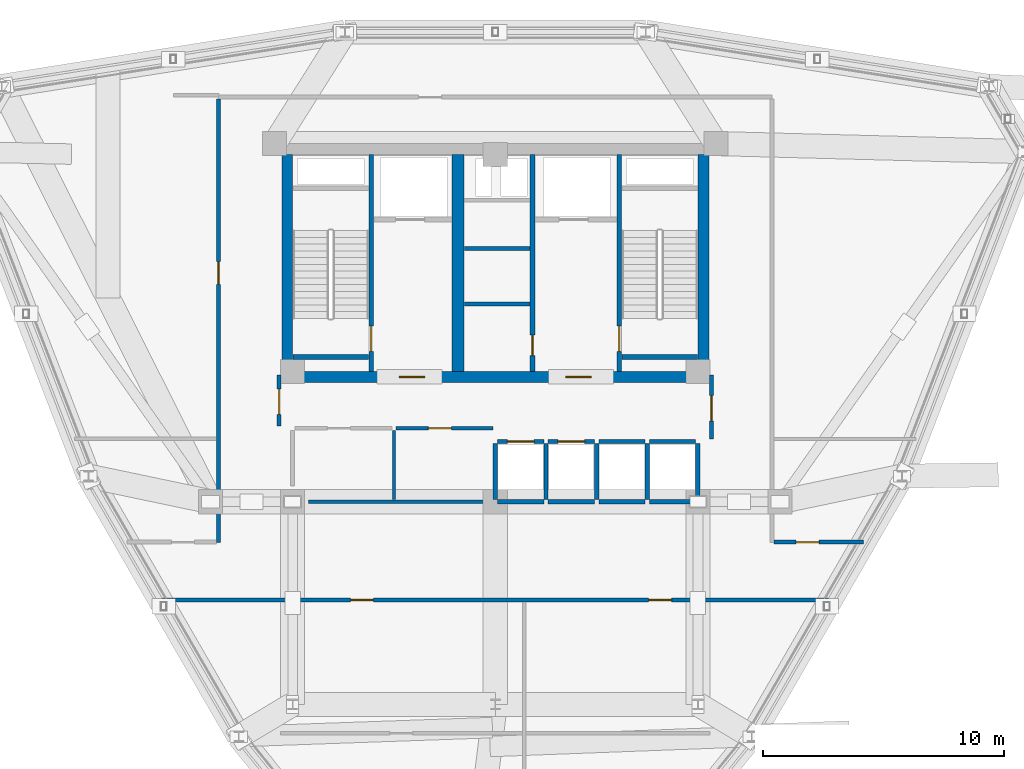
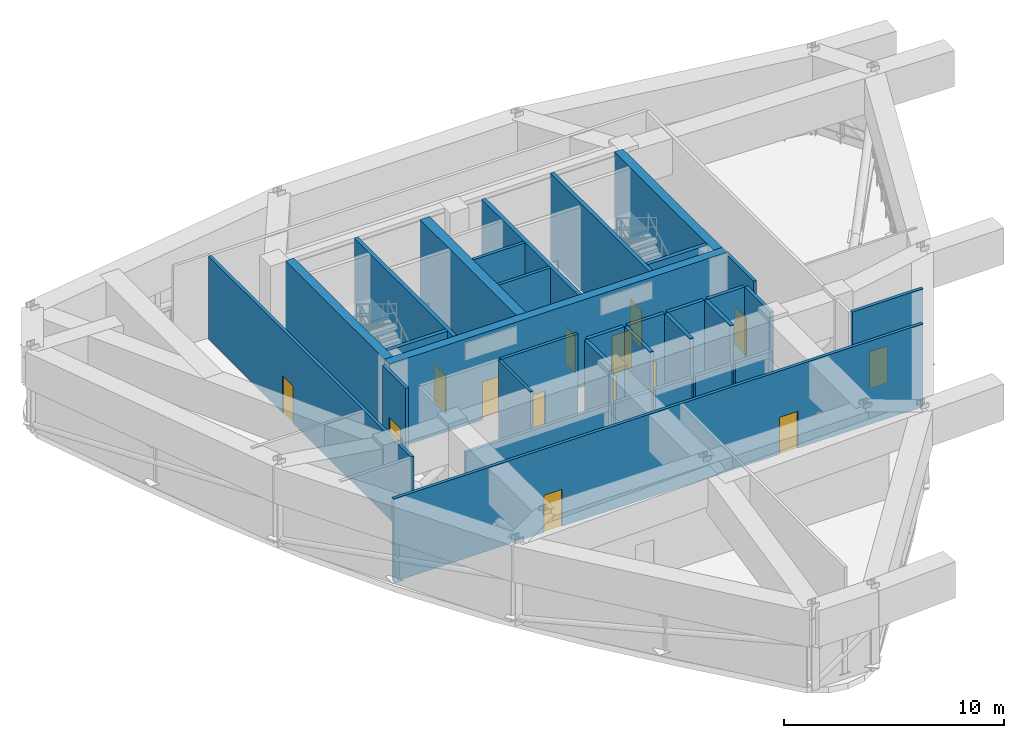
# One storey, part 8 of 12: 32 walls, 14 doors, 14 openings.
"""IFC4 building model written with IfcOpenShell, lengths in metres."""

import ifcopenshell
import ifcopenshell.guid

model = None  # the IFC model being written
_history = None  # IfcOwnerHistory: only IFC2X3 demands one
_inside = {}  # id of a spatial element -> (the spatial element, [elements in it])
_under = {}  # id of a project, library or spatial element -> (it, [spatial elements below it])
_declared = {}  # id of a project -> (the project, [libraries it declares])
_typed = {}  # id of a type object -> (the type object, [elements of that type])
_made_of = {}  # id of a material, layer set ... -> (it, [elements and type objects made of it])


def new_model(schema):
    """Start an empty IFC model of exactly this schema.

    Asked for "IFC4X3", IfcOpenShell would pick the latest addendum, in which some entities
    have other attributes; the version numbers below select the first issue.
    IFC2X3 requires an IfcOwnerHistory on every rooted entity: one is made here for all.
    """
    global model, _history
    if schema == "IFC4X3":
        model = ifcopenshell.file(schema_version=(4, 3, 0, 0))
    else:
        model = ifcopenshell.file(schema=schema)
    _inside.clear()
    _under.clear()
    _declared.clear()
    _typed.clear()
    _made_of.clear()
    _history = None
    if model.schema == "IFC2X3":
        org = make("IfcOrganization", Name="unknown")
        user = make(
            "IfcPersonAndOrganization",
            ThePerson=make("IfcPerson", FamilyName="unknown"),
            TheOrganization=org,
        )
        app = make(
            "IfcApplication",
            ApplicationDeveloper=org,
            Version="unknown",
            ApplicationFullName="unknown",
            ApplicationIdentifier="unknown",
        )
        _history = make(
            "IfcOwnerHistory",
            OwningUser=user,
            OwningApplication=app,
            ChangeAction="ADDED",
            CreationDate=0,
        )
    return model


def make(cls, **values):
    """One entity of the class cls with the attributes given. An attribute that is None is left unset."""
    return model.create_entity(
        cls, **{name: value for name, value in values.items() if value is not None}
    )


def rooted(cls, **values):
    """An entity with a GlobalId (a new one), such as an element, a storey or a relation."""
    return make(cls, GlobalId=ifcopenshell.guid.new(), OwnerHistory=_history, **values)


def si_unit(unit_type, name, prefix=None):
    """IfcSIUnit, for example si_unit("LENGTHUNIT", "METRE", prefix="MILLI")."""
    return make("IfcSIUnit", UnitType=unit_type, Prefix=prefix, Name=name)


def derived_unit(unit_type, elements):
    """IfcDerivedUnit: a product of units, each with its exponent."""
    return make(
        "IfcDerivedUnit",
        Elements=[
            make("IfcDerivedUnitElement", Unit=unit, Exponent=power)
            for unit, power in elements
        ],
        UnitType=unit_type,
    )


def assignment(units):
    """IfcUnitAssignment: the units of a project."""
    return None if units is None else make("IfcUnitAssignment", Units=units)


def point(xyz):
    """IfcCartesianPoint."""
    return None if xyz is None else make("IfcCartesianPoint", Coordinates=xyz)


def direction(xyz):
    """IfcDirection."""
    return None if xyz is None else make("IfcDirection", DirectionRatios=xyz)


def frame(location, z_axis=None, x_axis=None):
    """IfcAxis2Placement3D, a coordinate frame: its origin and axes. An axis left out is left unset."""
    return make(
        "IfcAxis2Placement3D",
        Location=point(location),
        Axis=direction(z_axis),
        RefDirection=direction(x_axis),
    )


def frame_2d(location, x_axis=None):
    """IfcAxis2Placement2D, a coordinate frame in the plane: its origin and x axis."""
    return make(
        "IfcAxis2Placement2D", Location=point(location), RefDirection=direction(x_axis)
    )


def origin():
    """The frame at (0, 0, 0) with its axes left unset."""
    return frame((0.0, 0.0, 0.0))


def place(relative_to, where):
    """IfcLocalPlacement: puts the frame where relative to a parent placement (None: the world)."""
    return make(
        "IfcLocalPlacement", PlacementRelTo=relative_to, RelativePlacement=where
    )


def context(
    kind, dimensions, precision=None, world=None, true_north=None, identifier=None
):
    """IfcGeometricRepresentationContext, for example the 3D "Model" context."""
    return make(
        "IfcGeometricRepresentationContext",
        ContextIdentifier=identifier,
        ContextType=kind,
        CoordinateSpaceDimension=dimensions,
        Precision=precision,
        WorldCoordinateSystem=world,
        TrueNorth=true_north,
    )


def subcontext(parent, identifier, kind, view, scale=None):
    """IfcGeometricRepresentationSubContext, for example "Body" below "Model"."""
    return make(
        "IfcGeometricRepresentationSubContext",
        ContextIdentifier=identifier,
        ContextType=kind,
        ParentContext=parent,
        TargetScale=scale,
        TargetView=view,
    )


def project(units=None, contexts=None):
    """IfcProject with its units and contexts."""
    return rooted(
        "IfcProject",
        Name="project",
        RepresentationContexts=contexts,
        UnitsInContext=assignment(units),
    )


def spatial(cls, under=None, at=None, **own):
    """A site, building, storey or space (cls), placed at a placement, below another one or the project."""
    s = rooted(cls, ObjectPlacement=at, **own)
    if under is not None:
        _under.setdefault(under.id(), (under, []))[1].append(s)
    return s


def profile(cls, at=None, kind="AREA", **sizes):
    """A parametric profile (cls). Its sizes go by their IFC names, for example OverallWidth=200.0."""
    return make(cls, ProfileType=kind, Position=at, **sizes)


def rectangle(**sizes):
    """IfcRectangleProfileDef."""
    return profile("IfcRectangleProfileDef", **sizes)


def extrude(swept, where, along, depth):
    """IfcExtrudedAreaSolid: the profile swept, set in the frame where, extruded along a direction by depth."""
    return make(
        "IfcExtrudedAreaSolid",
        SweptArea=swept,
        Position=where,
        ExtrudedDirection=direction(along),
        Depth=depth,
    )


def shape(context_of_items, identifier, shape_type, items):
    """IfcShapeRepresentation: the items that make up one representation, for example the "Body"."""
    return make(
        "IfcShapeRepresentation",
        ContextOfItems=context_of_items,
        RepresentationIdentifier=identifier,
        RepresentationType=shape_type,
        Items=items,
    )


def material(Name=None, Category=None):
    """IfcMaterial."""
    return make("IfcMaterial", Name=Name, Category=Category)


def layer(
    of_material, thickness, ventilated=None, Name=None, Category=None, Priority=None
):
    """IfcMaterialLayer: one layer of a wall or slab, of a material (None: an air gap)."""
    return make(
        "IfcMaterialLayer",
        Material=of_material,
        LayerThickness=thickness,
        IsVentilated=ventilated,
        Name=Name,
        Category=Category,
        Priority=Priority,
    )


def layer_set(layers, Name=None):
    """IfcMaterialLayerSet."""
    return make("IfcMaterialLayerSet", MaterialLayers=layers, LayerSetName=Name)


def made_of(thing, what):
    """Note that an element or type object is made of a material, layer set ...; save() writes the relation."""
    if what is not None:
        _made_of.setdefault(what.id(), (what, []))[1].append(thing)
    return thing


def type_object(cls, material=None, **own):
    """A type object (cls), such as IfcWallType, which elements share."""
    return made_of(rooted(cls, **own), material)


def element(
    cls,
    number,
    at=None,
    inside=None,
    cuts=None,
    type_object=None,
    material=None,
    context=None,
    identifier="Body",
    shape_type=None,
    held_by="IfcProductDefinitionShape",
    body=None,
    shapes=None,
    **own,
):
    """One element of the class cls, such as IfcWall. Its Tag is "e" and its number.

    at: its placement. inside: the storey or other place that contains it. cuts: it is an
    opening in that element (IfcRelVoidsElement). A single representation is given by context,
    identifier, shape_type and body (its items); several are given by shapes. held_by: the class
    of the entity that holds the representations. save() writes the other relations.
    """
    e = rooted(cls, Tag="e%d" % number, ObjectPlacement=at, **own)
    if body is not None:
        shapes = [shape(context, identifier, shape_type, body)]
    if shapes is not None:
        e.Representation = make(held_by, Representations=shapes)
    if inside is not None:
        _inside.setdefault(inside.id(), (inside, []))[1].append(e)
    if cuts is not None:
        rooted(
            "IfcRelVoidsElement", RelatingBuildingElement=cuts, RelatedOpeningElement=e
        )
    if type_object is not None:
        _typed.setdefault(type_object.id(), (type_object, []))[1].append(e)
    return made_of(e, material)


def fill(opening, filler):
    """IfcRelFillsElement: the door or window that sits in an opening."""
    return rooted(
        "IfcRelFillsElement",
        RelatingOpeningElement=opening,
        RelatedBuildingElement=filler,
    )


def aggregate(whole, parts):
    """IfcRelAggregates: a whole, such as a stair, and the parts it consists of."""
    return rooted("IfcRelAggregates", RelatingObject=whole, RelatedObjects=parts)


def save(model, path):
    """Write the relations noted so far, then the file.

    IfcRelAggregates (storeys below a building ...), IfcRelContainedInSpatialStructure (elements
    in a storey), IfcRelDefinesByType, IfcRelAssociatesMaterial and IfcRelDeclares: one each for
    every whole, place, type object, material and project.
    """
    for whole, parts in _under.values():
        aggregate(whole, parts)
    for where, things in _inside.values():
        rooted(
            "IfcRelContainedInSpatialStructure",
            RelatedElements=things,
            RelatingStructure=where,
        )
    for kind, things in _typed.values():
        rooted("IfcRelDefinesByType", RelatedObjects=things, RelatingType=kind)
    for what, things in _made_of.values():
        rooted("IfcRelAssociatesMaterial", RelatedObjects=things, RelatingMaterial=what)
    for by, libraries in _declared.values():
        rooted("IfcRelDeclares", RelatingContext=by, RelatedDefinitions=libraries)
    model.write(path)


model = new_model("IFC4")

# Units and contexts
model_context = context("Model", 3, precision=1e-05, world=origin(), true_north=direction((0.0, 1.0)))
body_context = subcontext(model_context, "Body", "Model", "MODEL_VIEW")
ifc_project = project(units=[si_unit("LENGTHUNIT", "METRE"), si_unit("AREAUNIT", "SQUARE_METRE"), si_unit("VOLUMEUNIT", "CUBIC_METRE"), si_unit("PLANEANGLEUNIT", "RADIAN"), si_unit("MASSUNIT", "GRAM", prefix="KILO"), derived_unit("THERMALTRANSMITTANCEUNIT", [(si_unit("POWERUNIT", "WATT"), 1), (si_unit("LENGTHUNIT", "METRE"), -2), (si_unit("THERMODYNAMICTEMPERATUREUNIT", "KELVIN"), -1)])], contexts=[model_context])

# Site, building, storey
site_placement = place(None, origin())
site = spatial("IfcSite", under=ifc_project, at=site_placement, CompositionType="ELEMENT")
building_placement = place(site_placement, origin())
building = spatial("IfcBuilding", under=site, at=building_placement, Name="Korsvarv Bourse and Concert Hall", CompositionType="ELEMENT")
storey_placement = place(building_placement, frame((0.0, 0.0, 201.0)))
storey = spatial("IfcBuildingStorey", under=building, at=storey_placement, Name="L52", CompositionType="ELEMENT", Elevation=201.0)

# Wall, opening, door
ifc_material_1 = material(Name="Concrete C50/60", Category="concrete")
ifc_layer_1 = layer(ifc_material_1, 0.3798828125)
ifc_layer_set_1 = layer_set([ifc_layer_1], Name="Concrete C50/60")
wall_type_1 = type_object("IfcWallType", Name="WL-CORE-380", PredefinedType="SHEAR", material=ifc_layer_set_1)
wall_1_placement = place(storey_placement, frame((30.860107421875, 37.81005859375, 0.0), z_axis=(0.0, 0.0, 1.0), x_axis=(0.0, 1.0, 0.0)))
wall_1 = element("IfcWall", 1, at=wall_1_placement, inside=storey, type_object=wall_type_1, Name="L52 stair shaft structural wall W-L52-ST1-E", PredefinedType="SHEAR", context=body_context, shape_type="SweptSolid", body=[
    extrude(rectangle(XDim=8.97998046875, YDim=0.199951171875, at=frame_2d((4.489990234375, 0.0))), origin(), (0.0, 0.0, 1.0), 4.800048828125),
])
opening_1_placement = place(wall_1_placement, frame((0.820068359375, 0.0, 0.0)))
opening_1 = element("IfcOpeningElement", 2, at=opening_1_placement, cuts=wall_1, Name="Opening D-01", PredefinedType="OPENING", context=body_context, shape_type="SweptSolid", body=[
    extrude(rectangle(XDim=1.050048828125, YDim=2.10009765625, at=frame_2d((0.52490234375, 1.050048828125))), frame((0.0, 0.10986328125, 0.0), z_axis=(0.0, -1.0, 0.0), x_axis=(1.0, 0.0, 0.0)), (0.0, 0.0, 1.0), 0.219970703125),
])
ifc_material_2 = material(Name="Steel S355 fire door", Category="steel")
door_type_1 = type_object("IfcDoorType", Name="DR-FD60", OperationType="NOTDEFINED", PredefinedType="DOOR", material=ifc_material_2)
door_1_placement = place(opening_1_placement, origin())
door_1 = element("IfcDoor", 3, at=door_1_placement, inside=storey, type_object=door_type_1, Name="L52 interior door DR-L52-ST1", OperationType="SINGLE_SWING_LEFT", OverallHeight=2.10009765625, OverallWidth=1.050048828125, PredefinedType="DOOR", context=body_context, shape_type="SweptSolid", body=[
    extrude(rectangle(XDim=1.050048828125, YDim=2.10009765625, at=frame_2d((0.52490234375, 1.050048828125))), frame((0.0, 0.02490234375, 0.0), z_axis=(0.0, -1.0, 0.0), x_axis=(1.0, 0.0, 0.0)), (0.0, 0.0, 1.0), 0.050048828125),
])
fill(opening_1, door_1)

# Wall
wall_2_placement = place(storey_placement, frame((27.610107421875, 38.39990234375, 0.0), z_axis=(0.0, 0.0, 1.0), x_axis=(1.0, 0.0, 0.0)))
element("IfcWall", 4, at=wall_2_placement, inside=storey, type_object=wall_type_1, Name="L52 stair shaft structural wall W-L52-ST1-S", PredefinedType="SHEAR", context=body_context, shape_type="SweptSolid", body=[
    extrude(rectangle(XDim=3.139892578125, YDim=0.199951171875, at=frame_2d((1.56982421875, 0.0))), origin(), (0.0, 0.0, 1.0), 4.800048828125),
])

# Wall, opening, door
wall_3_placement = place(storey_placement, frame((41.139892578125, 37.81005859375, 0.0), z_axis=(0.0, 0.0, 1.0), x_axis=(0.0, 1.0, 0.0)))
wall_3 = element("IfcWall", 5, at=wall_3_placement, inside=storey, type_object=wall_type_1, Name="L52 stair shaft structural wall W-L52-ST2-W", PredefinedType="SHEAR", context=body_context, shape_type="SweptSolid", body=[
    extrude(rectangle(XDim=8.97998046875, YDim=0.199951171875, at=frame_2d((4.489990234375, 0.0))), origin(), (0.0, 0.0, 1.0), 4.800048828125),
])
opening_2_placement = place(wall_3_placement, frame((0.820068359375, 0.0, 0.0)))
opening_2 = element("IfcOpeningElement", 6, at=opening_2_placement, cuts=wall_3, Name="Opening D-01", PredefinedType="OPENING", context=body_context, shape_type="SweptSolid", body=[
    extrude(rectangle(XDim=1.050048828125, YDim=2.10009765625, at=frame_2d((0.52490234375, 1.050048828125))), frame((0.0, 0.10986328125, 0.0), z_axis=(0.0, -1.0, 0.0), x_axis=(1.0, 0.0, 0.0)), (0.0, 0.0, 1.0), 0.219970703125),
])
door_2_placement = place(opening_2_placement, frame((1.050048828125, 0.0, 0.0), z_axis=(0.0, 0.0, 1.0), x_axis=(-1.0, 0.0, 0.0)))
door_2 = element("IfcDoor", 7, at=door_2_placement, inside=storey, type_object=door_type_1, Name="L52 interior door DR-L52-ST2", OperationType="SINGLE_SWING_RIGHT", OverallHeight=2.10009765625, OverallWidth=1.050048828125, PredefinedType="DOOR", context=body_context, shape_type="SweptSolid", body=[
    extrude(rectangle(XDim=1.050048828125, YDim=2.10009765625, at=frame_2d((0.52490234375, 1.050048828125))), frame((0.0, 0.02490234375, 0.0), z_axis=(0.0, -1.0, 0.0), x_axis=(1.0, 0.0, 0.0)), (0.0, 0.0, 1.0), 0.050048828125),
])
fill(opening_2, door_2)

# Wall
wall_4_placement = place(storey_placement, frame((41.25, 38.39990234375, 0.0), z_axis=(0.0, 0.0, 1.0), x_axis=(1.0, 0.0, 0.0)))
element("IfcWall", 8, at=wall_4_placement, inside=storey, type_object=wall_type_1, Name="L52 stair shaft structural wall W-L52-ST2-S", PredefinedType="SHEAR", context=body_context, shape_type="SweptSolid", body=[
    extrude(rectangle(XDim=3.139892578125, YDim=0.199951171875, at=frame_2d((1.56982421875, 0.0))), origin(), (0.0, 0.0, 1.0), 4.800048828125),
])

# Wall, openings, doors
ifc_material_3 = material(Name="Concrete C55/67", Category="concrete")
ifc_layer_2 = layer(ifc_material_3, 0.449951171875)
ifc_layer_set_2 = layer_set([ifc_layer_2], Name="Concrete C55/67")
wall_type_2 = type_object("IfcWallType", Name="WL-CORE-450", PredefinedType="SHEAR", material=ifc_layer_set_2)
wall_5_placement = place(storey_placement, frame((27.14990234375, 37.574951171875, 0.0), z_axis=(0.0, 0.0, 1.0), x_axis=(1.0, 0.0, 0.0)))
wall_5 = element("IfcWall", 9, at=wall_5_placement, inside=storey, type_object=wall_type_2, Name="L52 South Core Shear Wall", PredefinedType="SHEAR", context=body_context, shape_type="SweptSolid", body=[
    extrude(rectangle(XDim=17.7001953125, YDim=0.449951171875, at=frame_2d((8.85009765625, 0.0))), origin(), (0.0, 0.0, 1.0), 4.800048828125),
])
opening_3_placement = place(wall_5_placement, frame((4.875, 0.0, 0.0)))
opening_3 = element("IfcOpeningElement", 10, at=opening_3_placement, cuts=wall_5, Name="Opening D-01", PredefinedType="OPENING", context=body_context, shape_type="SweptSolid", body=[
    extrude(rectangle(XDim=1.050048828125, YDim=2.10009765625, at=frame_2d((0.52490234375, 1.050048828125))), frame((0.0, 0.23486328125, 0.0), z_axis=(0.0, -1.0, 0.0), x_axis=(1.0, 0.0, 0.0)), (0.0, 0.0, 1.0), 0.469970703125),
])
opening_4_placement = place(wall_5_placement, frame((11.77490234375, 0.0, 0.0)))
opening_4 = element("IfcOpeningElement", 11, at=opening_4_placement, cuts=wall_5, Name="Opening D-01", PredefinedType="OPENING", context=body_context, shape_type="SweptSolid", body=[
    extrude(rectangle(XDim=1.050048828125, YDim=2.10009765625, at=frame_2d((0.52490234375, 1.050048828125))), frame((0.0, 0.23486328125, 0.0), z_axis=(0.0, -1.0, 0.0), x_axis=(1.0, 0.0, 0.0)), (0.0, 0.0, 1.0), 0.469970703125),
])
door_3_placement = place(opening_3_placement, frame((1.050048828125, 0.0, 0.0), z_axis=(0.0, 0.0, 1.0), x_axis=(-1.0, 0.0, 0.0)))
door_3 = element("IfcDoor", 12, at=door_3_placement, inside=storey, type_object=door_type_1, Name="L52 firefighting lobby fire door DR-L52-FFLW", OperationType="SINGLE_SWING_RIGHT", OverallHeight=2.10009765625, OverallWidth=1.050048828125, PredefinedType="DOOR", context=body_context, shape_type="SweptSolid", body=[
    extrude(rectangle(XDim=1.050048828125, YDim=2.10009765625, at=frame_2d((0.52490234375, 1.050048828125))), frame((0.0, 0.02490234375, 0.0), z_axis=(0.0, -1.0, 0.0), x_axis=(1.0, 0.0, 0.0)), (0.0, 0.0, 1.0), 0.050048828125),
])
fill(opening_3, door_3)
door_4_placement = place(opening_4_placement, frame((1.050048828125, 0.0, 0.0), z_axis=(0.0, 0.0, 1.0), x_axis=(-1.0, 0.0, 0.0)))
door_4 = element("IfcDoor", 13, at=door_4_placement, inside=storey, type_object=door_type_1, Name="L52 firefighting lobby fire door DR-L52-FFLE", OperationType="SINGLE_SWING_LEFT", OverallHeight=2.10009765625, OverallWidth=1.050048828125, PredefinedType="DOOR", context=body_context, shape_type="SweptSolid", body=[
    extrude(rectangle(XDim=1.050048828125, YDim=2.10009765625, at=frame_2d((0.52490234375, 1.050048828125))), frame((0.0, 0.02490234375, 0.0), z_axis=(0.0, -1.0, 0.0), x_axis=(1.0, 0.0, 0.0)), (0.0, 0.0, 1.0), 0.050048828125),
])
fill(opening_4, door_4)

# Walls
for number, where, z_axis, x_axis, name in (
    (14, (27.375, 37.800048828125, 0.0), (0.0, 0.0, 1.0), (0.0, 1.0, 0.0), "L52 West Core Shear Wall"),
    (15, (44.625, 37.800048828125, 0.0), (0.0, 0.0, 1.0), (0.0, 1.0, 0.0), "L52 East Core Shear Wall"),
):
    element("IfcWall", number, at=place(storey_placement, frame(where, z_axis=z_axis, x_axis=x_axis)), inside=storey, type_object=wall_type_2, Name=name, PredefinedType="SHEAR", context=body_context, shape_type="SweptSolid", body=[
        extrude(rectangle(XDim=9.0, YDim=0.449951171875, at=frame_2d((4.5, 0.0))), origin(), (0.0, 0.0, 1.0), 4.800048828125),
    ])

# Wall, opening, door
ifc_material_4 = material(Name="Reinforced concrete blockwork C35/45 fire wall", Category="concrete")
ifc_layer_3 = layer(ifc_material_4, 0.199951171875)
ifc_layer_set_3 = layer_set([ifc_layer_3], Name="Reinforced concrete blockwork C35/45 fire wall")
wall_type_3 = type_object("IfcWallType", Name="WL-INT-EI120", PredefinedType="PARTITIONING", material=ifc_layer_set_3)
wall_6_placement = place(storey_placement, frame((37.5400390625, 37.81005859375, 0.0), z_axis=(0.0, 0.0, 1.0), x_axis=(0.0, 1.0, 0.0)))
wall_6 = element("IfcWall", 16, at=wall_6_placement, inside=storey, type_object=wall_type_3, Name="L52 interior partition wall W-L52-CSB-E", PredefinedType="PARTITIONING", context=body_context, shape_type="SweptSolid", body=[
    extrude(rectangle(XDim=8.97998046875, YDim=0.199951171875, at=frame_2d((4.489990234375, 0.0))), origin(), (0.0, 0.0, 1.0), 4.610107421875),
])
opening_5_placement = place(wall_6_placement, frame((0.64990234375, 0.0, 0.0)))
opening_5 = element("IfcOpeningElement", 17, at=opening_5_placement, cuts=wall_6, Name="Opening D-05", PredefinedType="OPENING", context=body_context, shape_type="SweptSolid", body=[
    extrude(rectangle(XDim=0.85009765625, YDim=2.050048828125, at=frame_2d((0.425048828125, 1.02490234375))), frame((0.0, 0.10986328125, 0.0), z_axis=(0.0, -1.0, 0.0), x_axis=(1.0, 0.0, 0.0)), (0.0, 0.0, 1.0), 0.219970703125),
])
door_type_2 = type_object("IfcDoorType", Name="DR-FD60-850X2050", OperationType="NOTDEFINED", PredefinedType="DOOR", material=ifc_material_2)
door_5_placement = place(opening_5_placement, origin())
door_5 = element("IfcDoor", 18, at=door_5_placement, inside=storey, type_object=door_type_2, Name="L52 interior door DR-L52-CSB2", OperationType="SINGLE_SWING_LEFT", OverallHeight=2.050048828125, OverallWidth=0.85009765625, PredefinedType="DOOR", context=body_context, shape_type="SweptSolid", body=[
    extrude(rectangle(XDim=0.85009765625, YDim=2.050048828125, at=frame_2d((0.425048828125, 1.02490234375))), frame((0.0, 0.02490234375, 0.0), z_axis=(0.0, -1.0, 0.0), x_axis=(1.0, 0.0, 0.0)), (0.0, 0.0, 1.0), 0.050048828125),
])
fill(opening_5, door_5)

# Walls
ifc_material_5 = material(Name="Double-stud fire-rated acoustic partition", Category="gypsum")
ifc_layer_4 = layer(ifc_material_5, 0.159912109375)
ifc_layer_set_4 = layer_set([ifc_layer_4], Name="Double-stud fire-rated acoustic partition")
wall_type_4 = type_object("IfcWallType", Name="WL-INT-EI60", PredefinedType="PARTITIONING", material=ifc_layer_set_4)
for number, where, z_axis, x_axis, name in (
    (19, (34.719970703125, 40.60009765625, 0.0), (0.0, 0.0, 1.0), (1.0, 0.0, 0.0), "L52 interior partition wall W-L52-K1"),
    (20, (34.719970703125, 42.89990234375, 0.0), (0.0, 0.0, 1.0), (1.0, 0.0, 0.0), "L52 interior partition wall W-L52-K2"),
):
    element("IfcWall", number, at=place(storey_placement, frame(where, z_axis=z_axis, x_axis=x_axis)), inside=storey, type_object=wall_type_4, Name=name, PredefinedType="PARTITIONING", context=body_context, shape_type="SweptSolid", body=[
        extrude(rectangle(XDim=2.7099609375, YDim=0.159912109375, at=frame_2d((1.35498046875, 0.0))), origin(), (0.0, 0.0, 1.0), 4.610107421875),
    ])
wall_7_placement = place(storey_placement, frame((28.25, 32.39990234375, 0.0), z_axis=(0.0, 0.0, 1.0), x_axis=(1.0, 0.0, 0.0)))
element("IfcWall", 21, at=wall_7_placement, inside=storey, type_object=wall_type_4, Name="L52 interior partition wall W-L52-FRD-S", PredefinedType="PARTITIONING", context=body_context, shape_type="SweptSolid", body=[
    extrude(rectangle(XDim=7.64990234375, YDim=0.159912109375, at=frame_2d((3.824951171875, 0.0))), origin(), (0.0, 0.0, 1.0), 2.570068359375),
])

# Wall, opening, door
wall_8_placement = place(storey_placement, frame((31.8798828125, 35.449951171875, 0.0), z_axis=(0.0, 0.0, 1.0), x_axis=(1.0, 0.0, 0.0)))
wall_8 = element("IfcWall", 22, at=wall_8_placement, inside=storey, type_object=wall_type_4, Name="L52 interior partition wall W-L52-FRD-N2", PredefinedType="PARTITIONING", context=body_context, shape_type="SweptSolid", body=[
    extrude(rectangle(XDim=4.02001953125, YDim=0.159912109375, at=frame_2d((2.010009765625, 0.0))), origin(), (0.0, 0.0, 1.0), 4.610107421875),
])
opening_6_placement = place(wall_8_placement, frame((1.35009765625, 0.0, 0.0)))
opening_6 = element("IfcOpeningElement", 23, at=opening_6_placement, cuts=wall_8, Name="Opening D-03", PredefinedType="OPENING", context=body_context, shape_type="SweptSolid", body=[
    extrude(rectangle(XDim=0.949951171875, YDim=2.050048828125, at=frame_2d((0.47509765625, 1.02490234375))), frame((0.0, 0.08984375, 0.0), z_axis=(0.0, -1.0, 0.0), x_axis=(1.0, 0.0, 0.0)), (0.0, 0.0, 1.0), 0.179931640625),
])
ifc_material_6 = material(Name="Nordic oak acoustic office door", Category="wood")
door_type_3 = type_object("IfcDoorType", Name="DR-INT-1", OperationType="NOTDEFINED", PredefinedType="DOOR", material=ifc_material_6)
door_6_placement = place(opening_6_placement, origin())
door_6 = element("IfcDoor", 24, at=door_6_placement, inside=storey, type_object=door_type_3, Name="L52 interior door DR-L52-FRDN2", OperationType="SINGLE_SWING_LEFT", OverallHeight=2.050048828125, OverallWidth=0.949951171875, PredefinedType="DOOR", context=body_context, shape_type="SweptSolid", body=[
    extrude(rectangle(XDim=0.949951171875, YDim=2.050048828125, at=frame_2d((0.47509765625, 1.02490234375))), frame((0.0, 0.02490234375, 0.0), z_axis=(0.0, -1.0, 0.0), x_axis=(1.0, 0.0, 0.0)), (0.0, 0.0, 1.0), 0.050048828125),
])
fill(opening_6, door_6)

wall_9_placement = place(storey_placement, frame((27.0400390625, 35.5400390625, 0.0), z_axis=(0.0, 0.0, 1.0), x_axis=(0.0, 1.0, 0.0)))
wall_9 = element("IfcWall", 25, at=wall_9_placement, inside=storey, type_object=wall_type_4, Name="L52 interior partition wall W-L52-LOB-WL", PredefinedType="PARTITIONING", context=body_context, shape_type="SweptSolid", body=[
    extrude(rectangle(XDim=2.10986328125, YDim=0.159912109375, at=frame_2d((1.054931640625, 0.0))), origin(), (0.0, 0.0, 1.0), 4.610107421875),
])
opening_7_placement = place(wall_9_placement, frame((0.47998046875, 0.0, 0.0)))
opening_7 = element("IfcOpeningElement", 26, at=opening_7_placement, cuts=wall_9, Name="Opening D-01", PredefinedType="OPENING", context=body_context, shape_type="SweptSolid", body=[
    extrude(rectangle(XDim=1.050048828125, YDim=2.10009765625, at=frame_2d((0.52490234375, 1.050048828125))), frame((0.0, 0.08984375, 0.0), z_axis=(0.0, -1.0, 0.0), x_axis=(1.0, 0.0, 0.0)), (0.0, 0.0, 1.0), 0.179931640625),
])
door_7_placement = place(opening_7_placement, frame((1.050048828125, 0.0, 0.0), z_axis=(0.0, 0.0, 1.0), x_axis=(-1.0, 0.0, 0.0)))
door_7 = element("IfcDoor", 27, at=door_7_placement, inside=storey, type_object=door_type_1, Name="L52 interior door DR-L52-LOBW", OperationType="SINGLE_SWING_RIGHT", OverallHeight=2.10009765625, OverallWidth=1.050048828125, PredefinedType="DOOR", context=body_context, shape_type="SweptSolid", body=[
    extrude(rectangle(XDim=1.050048828125, YDim=2.10009765625, at=frame_2d((0.52490234375, 1.050048828125))), frame((0.0, 0.02490234375, 0.0), z_axis=(0.0, -1.0, 0.0), x_axis=(1.0, 0.0, 0.0)), (0.0, 0.0, 1.0), 0.050048828125),
])
fill(opening_7, door_7)

wall_10_placement = place(storey_placement, frame((44.9599609375, 35.0, 0.0), z_axis=(0.0, 0.0, 1.0), x_axis=(0.0, 1.0, 0.0)))
wall_10 = element("IfcWall", 28, at=wall_10_placement, inside=storey, type_object=wall_type_4, Name="L52 interior partition wall W-L52-LOB-E", PredefinedType="PARTITIONING", context=body_context, shape_type="SweptSolid", body=[
    extrude(rectangle(XDim=2.64990234375, YDim=0.159912109375, at=frame_2d((1.324951171875, 0.0))), origin(), (0.0, 0.0, 1.0), 4.610107421875),
])
opening_8_placement = place(wall_10_placement, frame((0.75, 0.0, 0.0)))
opening_8 = element("IfcOpeningElement", 29, at=opening_8_placement, cuts=wall_10, Name="Opening D-01", PredefinedType="OPENING", context=body_context, shape_type="SweptSolid", body=[
    extrude(rectangle(XDim=1.050048828125, YDim=2.10009765625, at=frame_2d((0.52490234375, 1.050048828125))), frame((0.0, 0.08984375, 0.0), z_axis=(0.0, -1.0, 0.0), x_axis=(1.0, 0.0, 0.0)), (0.0, 0.0, 1.0), 0.179931640625),
])
door_8_placement = place(opening_8_placement, origin())
door_8 = element("IfcDoor", 30, at=door_8_placement, inside=storey, type_object=door_type_1, Name="L52 interior door DR-L52-LOBE", OperationType="SINGLE_SWING_LEFT", OverallHeight=2.10009765625, OverallWidth=1.050048828125, PredefinedType="DOOR", context=body_context, shape_type="SweptSolid", body=[
    extrude(rectangle(XDim=1.050048828125, YDim=2.10009765625, at=frame_2d((0.52490234375, 1.050048828125))), frame((0.0, 0.02490234375, 0.0), z_axis=(0.0, -1.0, 0.0), x_axis=(1.0, 0.0, 0.0)), (0.0, 0.0, 1.0), 0.050048828125),
])
fill(opening_8, door_8)

# Wall, openings, doors
wall_11_placement = place(storey_placement, frame((22.1240234375, 28.324951171875, 0.0), z_axis=(0.0, 0.0, 1.0), x_axis=(1.0, 0.0, 0.0)))
wall_11 = element("IfcWall", 31, at=wall_11_placement, inside=storey, type_object=wall_type_4, Name="L52 interior partition wall W-L52-RCOR-01", PredefinedType="PARTITIONING", context=body_context, shape_type="SweptSolid", body=[
    extrude(rectangle(XDim=27.751953125, YDim=0.159912109375, at=frame_2d((13.8759765625, 0.0))), origin(), (0.0, 0.0, 1.0), 4.610107421875),
])
opening_9_placement = place(wall_11_placement, frame((7.876708984375, 0.0, 0.0)))
opening_9 = element("IfcOpeningElement", 32, at=opening_9_placement, cuts=wall_11, Name="Opening D-02", PredefinedType="OPENING", context=body_context, shape_type="SweptSolid", body=[
    extrude(rectangle(XDim=0.949951171875, YDim=2.050048828125, at=frame_2d((0.47509765625, 1.02490234375))), frame((0.0, 0.08984375, 0.0), z_axis=(0.0, -1.0, 0.0), x_axis=(1.0, 0.0, 0.0)), (0.0, 0.0, 1.0), 0.179931640625),
])
opening_10_placement = place(wall_11_placement, frame((20.232666015625, 0.0, 0.0)))
opening_10 = element("IfcOpeningElement", 33, at=opening_10_placement, cuts=wall_11, Name="Opening D-02", PredefinedType="OPENING", context=body_context, shape_type="SweptSolid", body=[
    extrude(rectangle(XDim=0.949951171875, YDim=2.050048828125, at=frame_2d((0.47509765625, 1.02490234375))), frame((0.0, 0.08984375, 0.0), z_axis=(0.0, -1.0, 0.0), x_axis=(1.0, 0.0, 0.0)), (0.0, 0.0, 1.0), 0.179931640625),
])
ifc_material_7 = material(Name="Timber and steel acoustic fire door", Category="wood")
door_type_4 = type_object("IfcDoorType", Name="DR-FD30", OperationType="NOTDEFINED", PredefinedType="DOOR", material=ifc_material_7)
door_9_placement = place(opening_9_placement, origin())
door_9 = element("IfcDoor", 34, at=door_9_placement, inside=storey, type_object=door_type_4, Name="L52 interior door DR-L52-RCOR-PL57", OperationType="SINGLE_SWING_RIGHT", OverallHeight=2.050048828125, OverallWidth=0.949951171875, PredefinedType="DOOR", context=body_context, shape_type="SweptSolid", body=[
    extrude(rectangle(XDim=0.949951171875, YDim=2.050048828125, at=frame_2d((0.47509765625, 1.02490234375))), frame((0.0, 0.02490234375, 0.0), z_axis=(0.0, -1.0, 0.0), x_axis=(1.0, 0.0, 0.0)), (0.0, 0.0, 1.0), 0.050048828125),
])
fill(opening_9, door_9)
door_10_placement = place(opening_10_placement, origin())
door_10 = element("IfcDoor", 35, at=door_10_placement, inside=storey, type_object=door_type_4, Name="L52 interior door DR-L52-RCOR-PL68", OperationType="SINGLE_SWING_LEFT", OverallHeight=2.050048828125, OverallWidth=0.949951171875, PredefinedType="DOOR", context=body_context, shape_type="SweptSolid", body=[
    extrude(rectangle(XDim=0.949951171875, YDim=2.050048828125, at=frame_2d((0.47509765625, 1.02490234375))), frame((0.0, 0.02490234375, 0.0), z_axis=(0.0, -1.0, 0.0), x_axis=(1.0, 0.0, 0.0)), (0.0, 0.0, 1.0), 0.050048828125),
])
fill(opening_10, door_10)

# Wall, opening, door
wall_12_placement = place(storey_placement, frame((24.52490234375, 30.719970703125, 0.0), z_axis=(0.0, 0.0, 1.0), x_axis=(0.0, 1.0, 0.0)))
wall_12 = element("IfcWall", 36, at=wall_12_placement, inside=storey, type_object=wall_type_4, Name="L52 interior partition wall W-L52-RCOR-03", PredefinedType="PARTITIONING", context=body_context, shape_type="SweptSolid", body=[
    extrude(rectangle(XDim=18.373046875, YDim=0.159912109375, at=frame_2d((9.1865234375, 0.0))), origin(), (0.0, 0.0, 1.0), 4.610107421875),
])
opening_11_placement = place(wall_12_placement, frame((10.689697265625, 0.0, 0.0)))
opening_11 = element("IfcOpeningElement", 37, at=opening_11_placement, cuts=wall_12, Name="Opening D-02", PredefinedType="OPENING", context=body_context, shape_type="SweptSolid", body=[
    extrude(rectangle(XDim=0.949951171875, YDim=2.050048828125, at=frame_2d((0.47509765625, 1.02490234375))), frame((0.0, 0.08984375, 0.0), z_axis=(0.0, -1.0, 0.0), x_axis=(1.0, 0.0, 0.0)), (0.0, 0.0, 1.0), 0.179931640625),
])
door_11_placement = place(opening_11_placement, origin())
door_11 = element("IfcDoor", 38, at=door_11_placement, inside=storey, type_object=door_type_4, Name="L52 interior door DR-L52-RCOR-REFW3", OperationType="SINGLE_SWING_LEFT", OverallHeight=2.050048828125, OverallWidth=0.949951171875, PredefinedType="DOOR", context=body_context, shape_type="SweptSolid", body=[
    extrude(rectangle(XDim=0.949951171875, YDim=2.050048828125, at=frame_2d((0.47509765625, 1.02490234375))), frame((0.0, 0.02490234375, 0.0), z_axis=(0.0, -1.0, 0.0), x_axis=(1.0, 0.0, 0.0)), (0.0, 0.0, 1.0), 0.050048828125),
])
fill(opening_11, door_11)

wall_13_placement = place(storey_placement, frame((47.556884765625, 30.72509765625, 0.0), z_axis=(0.0, 0.0, 1.0), x_axis=(1.0, 0.0, 0.0)))
wall_13 = element("IfcWall", 39, at=wall_13_placement, inside=storey, type_object=wall_type_4, Name="L52 interior partition wall W-L52-RCOR-05", PredefinedType="PARTITIONING", context=body_context, shape_type="SweptSolid", body=[
    extrude(rectangle(XDim=3.704833984375, YDim=0.159912109375, at=frame_2d((1.8525390625, 0.0))), origin(), (0.0, 0.0, 1.0), 4.610107421875),
])
opening_12_placement = place(wall_13_placement, frame((0.9169921875, 0.0, 0.0)))
opening_12 = element("IfcOpeningElement", 40, at=opening_12_placement, cuts=wall_13, Name="Opening D-02", PredefinedType="OPENING", context=body_context, shape_type="SweptSolid", body=[
    extrude(rectangle(XDim=0.949951171875, YDim=2.050048828125, at=frame_2d((0.47509765625, 1.02490234375))), frame((0.0, 0.08984375, 0.0), z_axis=(0.0, -1.0, 0.0), x_axis=(1.0, 0.0, 0.0)), (0.0, 0.0, 1.0), 0.179931640625),
])
door_12_placement = place(opening_12_placement, origin())
door_12 = element("IfcDoor", 41, at=door_12_placement, inside=storey, type_object=door_type_4, Name="L52 interior door DR-L52-RCOR-PL21", OperationType="SINGLE_SWING_RIGHT", OverallHeight=2.050048828125, OverallWidth=0.949951171875, PredefinedType="DOOR", context=body_context, shape_type="SweptSolid", body=[
    extrude(rectangle(XDim=0.949951171875, YDim=2.050048828125, at=frame_2d((0.47509765625, 1.02490234375))), frame((0.0, 0.02490234375, 0.0), z_axis=(0.0, -1.0, 0.0), x_axis=(1.0, 0.0, 0.0)), (0.0, 0.0, 1.0), 0.050048828125),
])
fill(opening_12, door_12)

ifc_material_8 = material(Name="Gypsum-clad autoclaved concrete shaft wall C30/37", Category="concrete")
ifc_layer_5 = layer(ifc_material_8, 0.179931640625)
ifc_layer_set_5 = layer_set([ifc_layer_5], Name="Gypsum-clad autoclaved concrete shaft wall C30/37")
wall_type_5 = type_object("IfcWallType", Name="WL-INT-EI90", PredefinedType="PARTITIONING", material=ifc_layer_set_5)
wall_14_placement = place(storey_placement, frame((36.090087890625, 34.89990234375, 0.0), z_axis=(0.0, 0.0, 1.0), x_axis=(1.0, 0.0, 0.0)))
wall_14 = element("IfcWall", 42, at=wall_14_placement, inside=storey, type_object=wall_type_5, Name="L52 interior partition wall W-L52-SHFN-PH1", PredefinedType="PARTITIONING", context=body_context, shape_type="SweptSolid", body=[
    extrude(rectangle(XDim=1.919921875, YDim=0.179931640625, at=frame_2d((0.9599609375, 0.0))), origin(), (0.0, 0.0, 1.0), 4.610107421875),
])
opening_13_placement = place(wall_14_placement, frame((0.409912109375, 0.0, 0.0)))
opening_13 = element("IfcOpeningElement", 43, at=opening_13_placement, cuts=wall_14, Name="Opening LD-2", PredefinedType="OPENING", context=body_context, shape_type="SweptSolid", body=[
    extrude(rectangle(XDim=1.10009765625, YDim=2.10009765625, at=frame_2d((0.550048828125, 1.050048828125))), frame((0.0, 0.10009765625, 0.0), z_axis=(0.0, -1.0, 0.0), x_axis=(1.0, 0.0, 0.0)), (0.0, 0.0, 1.0), 0.199951171875),
])
ifc_material_9 = material(Name="Brushed stainless Steel S355 lift landing door", Category="steel")
door_type_5 = type_object("IfcDoorType", Name="DR-LIFT-P", OperationType="DOUBLE_DOOR_SLIDING", PredefinedType="DOOR", material=ifc_material_9)
door_13_placement = place(opening_13_placement, origin())
door_13 = element("IfcDoor", 44, at=door_13_placement, inside=storey, type_object=door_type_5, Name="L52 lift sliding landing door LD-L52-PH1", OperationType="DOUBLE_DOOR_SLIDING", OverallHeight=2.10009765625, OverallWidth=1.10009765625, PredefinedType="DOOR", context=body_context, shape_type="SweptSolid", body=[
    extrude(rectangle(XDim=1.10009765625, YDim=2.10009765625, at=frame_2d((0.550048828125, 1.050048828125))), frame((0.0, 0.02490234375, 0.0), z_axis=(0.0, -1.0, 0.0), x_axis=(1.0, 0.0, 0.0)), (0.0, 0.0, 1.0), 0.050048828125),
])
fill(opening_13, door_13)

# Walls
wall_15_placement = place(storey_placement, frame((36.090087890625, 32.39990234375, 0.0), z_axis=(0.0, 0.0, 1.0), x_axis=(1.0, 0.0, 0.0)))
element("IfcWall", 45, at=wall_15_placement, inside=storey, type_object=wall_type_5, Name="L52 interior partition wall W-L52-SHFS-PH1", PredefinedType="PARTITIONING", context=body_context, shape_type="SweptSolid", body=[
    extrude(rectangle(XDim=1.919921875, YDim=0.179931640625, at=frame_2d((0.9599609375, 0.0))), origin(), (0.0, 0.0, 1.0), 2.570068359375),
])
wall_16_placement = place(storey_placement, frame((36.0, 32.489990234375, 0.0), z_axis=(0.0, 0.0, 1.0), x_axis=(0.0, 1.0, 0.0)))
element("IfcWall", 46, at=wall_16_placement, inside=storey, type_object=wall_type_5, Name="L52 interior partition wall W-L52-SHFW-PH1", PredefinedType="PARTITIONING", context=body_context, shape_type="SweptSolid", body=[
    extrude(rectangle(XDim=2.320068359375, YDim=0.179931640625, at=frame_2d((1.16015625, 0.0))), origin(), (0.0, 0.0, 1.0), 4.610107421875),
])

# Wall, opening, door
wall_17_placement = place(storey_placement, frame((38.18994140625, 34.89990234375, 0.0), z_axis=(0.0, 0.0, 1.0), x_axis=(1.0, 0.0, 0.0)))
wall_17 = element("IfcWall", 47, at=wall_17_placement, inside=storey, type_object=wall_type_5, Name="L52 interior partition wall W-L52-SHFN-PH2", PredefinedType="PARTITIONING", context=body_context, shape_type="SweptSolid", body=[
    extrude(rectangle(XDim=1.920166015625, YDim=0.179931640625, at=frame_2d((0.9599609375, 0.0))), origin(), (0.0, 0.0, 1.0), 4.610107421875),
])
opening_14_placement = place(wall_17_placement, frame((0.409912109375, 0.0, 0.0)))
opening_14 = element("IfcOpeningElement", 48, at=opening_14_placement, cuts=wall_17, Name="Opening LD-2", PredefinedType="OPENING", context=body_context, shape_type="SweptSolid", body=[
    extrude(rectangle(XDim=1.10009765625, YDim=2.10009765625, at=frame_2d((0.550048828125, 1.050048828125))), frame((0.0, 0.10009765625, 0.0), z_axis=(0.0, -1.0, 0.0), x_axis=(1.0, 0.0, 0.0)), (0.0, 0.0, 1.0), 0.199951171875),
])
door_14_placement = place(opening_14_placement, origin())
door_14 = element("IfcDoor", 49, at=door_14_placement, inside=storey, type_object=door_type_5, Name="L52 lift sliding landing door LD-L52-PH2", OperationType="DOUBLE_DOOR_SLIDING", OverallHeight=2.10009765625, OverallWidth=1.10009765625, PredefinedType="DOOR", context=body_context, shape_type="SweptSolid", body=[
    extrude(rectangle(XDim=1.10009765625, YDim=2.10009765625, at=frame_2d((0.550048828125, 1.050048828125))), frame((0.0, 0.02490234375, 0.0), z_axis=(0.0, -1.0, 0.0), x_axis=(1.0, 0.0, 0.0)), (0.0, 0.0, 1.0), 0.050048828125),
])
fill(opening_14, door_14)

# Walls
wall_18_placement = place(storey_placement, frame((38.18994140625, 32.39990234375, 0.0), z_axis=(0.0, 0.0, 1.0), x_axis=(1.0, 0.0, 0.0)))
element("IfcWall", 50, at=wall_18_placement, inside=storey, type_object=wall_type_5, Name="L52 interior partition wall W-L52-SHFS-PH2", PredefinedType="PARTITIONING", context=body_context, shape_type="SweptSolid", body=[
    extrude(rectangle(XDim=1.920166015625, YDim=0.179931640625, at=frame_2d((0.9599609375, 0.0))), origin(), (0.0, 0.0, 1.0), 2.570068359375),
])
wall_19_placement = place(storey_placement, frame((38.10009765625, 32.489990234375, 0.0), z_axis=(0.0, 0.0, 1.0), x_axis=(0.0, 1.0, 0.0)))
element("IfcWall", 51, at=wall_19_placement, inside=storey, type_object=wall_type_5, Name="L52 interior partition wall W-L52-SHFW-PH2", PredefinedType="PARTITIONING", context=body_context, shape_type="SweptSolid", body=[
    extrude(rectangle(XDim=2.320068359375, YDim=0.179931640625, at=frame_2d((1.16015625, 0.0))), origin(), (0.0, 0.0, 1.0), 4.610107421875),
])
wall_20_placement = place(storey_placement, frame((40.2900390625, 34.89990234375, 0.0), z_axis=(0.0, 0.0, 1.0), x_axis=(1.0, 0.0, 0.0)))
element("IfcWall", 52, at=wall_20_placement, inside=storey, type_object=wall_type_5, Name="L52 interior partition wall W-L52-SHFN-PO1", PredefinedType="PARTITIONING", context=body_context, shape_type="SweptSolid", body=[
    extrude(rectangle(XDim=1.919921875, YDim=0.179931640625, at=frame_2d((0.9599609375, 0.0))), origin(), (0.0, 0.0, 1.0), 4.610107421875),
])
wall_21_placement = place(storey_placement, frame((40.2900390625, 32.39990234375, 0.0), z_axis=(0.0, 0.0, 1.0), x_axis=(1.0, 0.0, 0.0)))
element("IfcWall", 53, at=wall_21_placement, inside=storey, type_object=wall_type_5, Name="L52 interior partition wall W-L52-SHFS-PO1", PredefinedType="PARTITIONING", context=body_context, shape_type="SweptSolid", body=[
    extrude(rectangle(XDim=1.919921875, YDim=0.179931640625, at=frame_2d((0.9599609375, 0.0))), origin(), (0.0, 0.0, 1.0), 2.570068359375),
])
wall_22_placement = place(storey_placement, frame((40.199951171875, 32.489990234375, 0.0), z_axis=(0.0, 0.0, 1.0), x_axis=(0.0, 1.0, 0.0)))
element("IfcWall", 54, at=wall_22_placement, inside=storey, type_object=wall_type_5, Name="L52 interior partition wall W-L52-SHFW-PO1", PredefinedType="PARTITIONING", context=body_context, shape_type="SweptSolid", body=[
    extrude(rectangle(XDim=2.320068359375, YDim=0.179931640625, at=frame_2d((1.16015625, 0.0))), origin(), (0.0, 0.0, 1.0), 4.610107421875),
])
wall_23_placement = place(storey_placement, frame((42.389892578125, 34.89990234375, 0.0), z_axis=(0.0, 0.0, 1.0), x_axis=(1.0, 0.0, 0.0)))
element("IfcWall", 55, at=wall_23_placement, inside=storey, type_object=wall_type_5, Name="L52 interior partition wall W-L52-SHFN-PO2", PredefinedType="PARTITIONING", context=body_context, shape_type="SweptSolid", body=[
    extrude(rectangle(XDim=1.920166015625, YDim=0.179931640625, at=frame_2d((0.9599609375, 0.0))), origin(), (0.0, 0.0, 1.0), 4.610107421875),
])
wall_24_placement = place(storey_placement, frame((42.389892578125, 32.39990234375, 0.0), z_axis=(0.0, 0.0, 1.0), x_axis=(1.0, 0.0, 0.0)))
element("IfcWall", 56, at=wall_24_placement, inside=storey, type_object=wall_type_5, Name="L52 interior partition wall W-L52-SHFS-PO2", PredefinedType="PARTITIONING", context=body_context, shape_type="SweptSolid", body=[
    extrude(rectangle(XDim=1.920166015625, YDim=0.179931640625, at=frame_2d((0.9599609375, 0.0))), origin(), (0.0, 0.0, 1.0), 2.570068359375),
])
for number, where, z_axis, x_axis, name in (
    (57, (42.300048828125, 32.489990234375, 0.0), (0.0, 0.0, 1.0), (0.0, 1.0, 0.0), "L52 interior partition wall W-L52-SHFW-PO2"),
    (58, (44.39990234375, 32.489990234375, 0.0), (0.0, 0.0, 1.0), (0.0, 1.0, 0.0), "L52 interior partition wall W-L52-SHFE-END"),
):
    element("IfcWall", number, at=place(storey_placement, frame(where, z_axis=z_axis, x_axis=x_axis)), inside=storey, type_object=wall_type_5, Name=name, PredefinedType="PARTITIONING", context=body_context, shape_type="SweptSolid", body=[
        extrude(rectangle(XDim=2.320068359375, YDim=0.179931640625, at=frame_2d((1.16015625, 0.0))), origin(), (0.0, 0.0, 1.0), 4.610107421875),
    ])
ifc_material_10 = material(Name="Insulated steel-stud office acoustic partition", Category="gypsum")
ifc_layer_6 = layer(ifc_material_10, 0.139892578125)
ifc_layer_set_6 = layer_set([ifc_layer_6], Name="Insulated steel-stud office acoustic partition")
wall_type_6 = type_object("IfcWallType", Name="WL-INT-P1", PredefinedType="PARTITIONING", material=ifc_layer_set_6)
wall_25_placement = place(storey_placement, frame((31.800048828125, 32.489990234375, 0.0), z_axis=(0.0, 0.0, 1.0), x_axis=(0.0, 1.0, 0.0)))
element("IfcWall", 59, at=wall_25_placement, inside=storey, type_object=wall_type_6, Name="L52 interior partition wall W-L52-FRD-V", PredefinedType="PARTITIONING", context=body_context, shape_type="SweptSolid", body=[
    extrude(rectangle(XDim=2.8701171875, YDim=0.139892578125, at=frame_2d((1.43505859375, 0.0))), origin(), (0.0, 0.0, 1.0), 4.610107421875),
])
ifc_material_11 = material(Name="Concrete C60/75", Category="concrete")
ifc_layer_7 = layer(ifc_material_11, 0.5)
ifc_layer_set_7 = layer_set([ifc_layer_7], Name="Concrete C60/75")
wall_type_7 = type_object("IfcWallType", Name="WL-OUTR-500", PredefinedType="SHEAR", material=ifc_layer_set_7)
wall_26_placement = place(storey_placement, frame((34.4599609375, 37.800048828125, 0.0), z_axis=(0.0, 0.0, 1.0), x_axis=(0.0, 1.0, 0.0)))
element("IfcWall", 60, at=wall_26_placement, inside=storey, type_object=wall_type_7, Name="L52 Core Central Outrigger Web Shear Wall", PredefinedType="SHEAR", context=body_context, shape_type="SweptSolid", body=[
    extrude(rectangle(XDim=9.0, YDim=0.5, at=frame_2d((4.5, 0.0))), origin(), (0.0, 0.0, 1.0), 4.610107421875),
])

save(model, "model.ifc")
